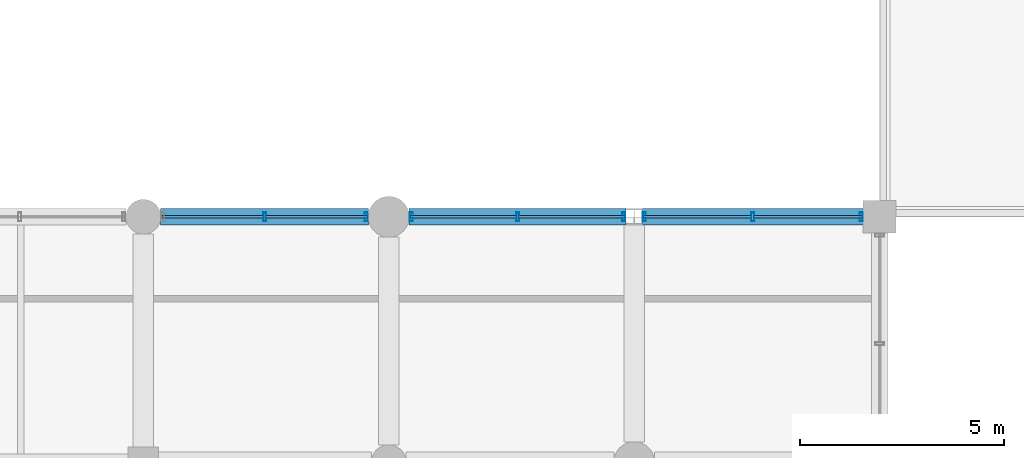
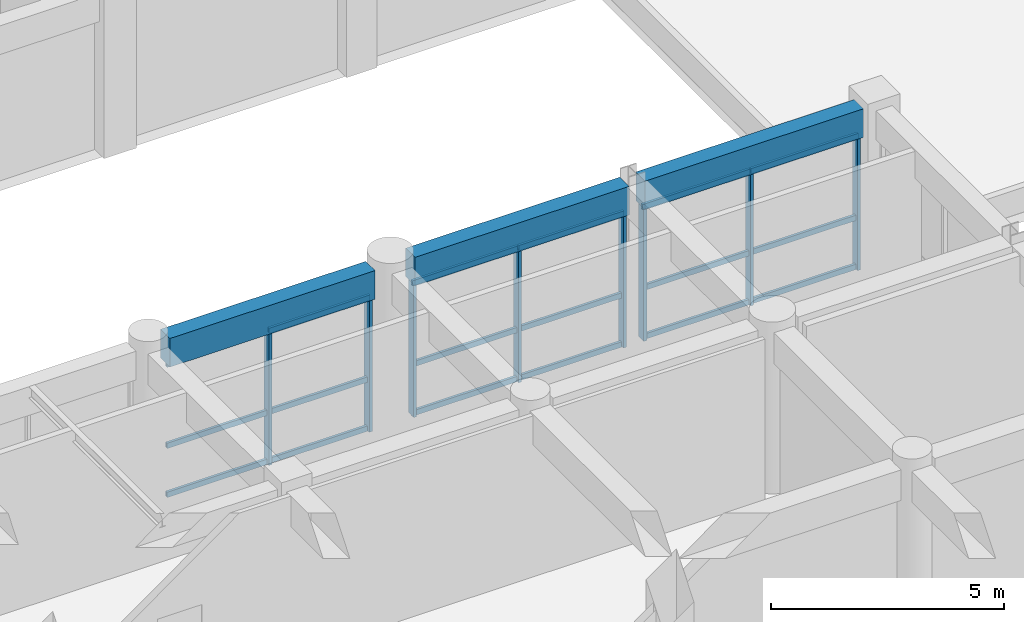
# One storey, part 77 of 133: 26 members, 3 beams, 3 elements without a shape of their own.
"""IFC4 building model written with IfcOpenShell, lengths in metres."""

from ifc_helpers import new_model, si_unit, direction, frame, origin, origin_2d, place, context, subcontext, project, spatial, rectangle, hollow_rectangle, extrude, material, material_profile, profile_set, type_object, element, aggregate, save


model = new_model("IFC4")

# Units and contexts
model_context = context("Model", 3, precision=1e-05, world=origin(), true_north=direction((0.0, 1.0)))
body_context = subcontext(model_context, "Body", "Model", "MODEL_VIEW")
ifc_project = project(units=[si_unit("LENGTHUNIT", "METRE"), si_unit("AREAUNIT", "SQUARE_METRE"), si_unit("VOLUMEUNIT", "CUBIC_METRE"), si_unit("PLANEANGLEUNIT", "RADIAN"), si_unit("MASSUNIT", "GRAM", prefix="KILO"), si_unit("THERMODYNAMICTEMPERATUREUNIT", "KELVIN"), si_unit("POWERUNIT", "WATT")], contexts=[model_context])

# Site, building, storey
site_placement = place(None, origin())
site = spatial("IfcSite", under=ifc_project, at=site_placement, CompositionType="ELEMENT")
building_placement = place(site_placement, origin())
building = spatial("IfcBuilding", under=site, at=building_placement, Name="Phaisarnlok Congress Hotel", CompositionType="ELEMENT")
storey_placement = place(building_placement, frame((0.0, 0.0, 6.0)))
storey = spatial("IfcBuildingStorey", under=building, at=storey_placement, Name="L01", CompositionType="ELEMENT", Elevation=6.0)

# Curtain wall, members
ifc_material_1 = material(Name="Thermally Broken Unitised Aluminium & Low-E Glazing", Category="aluminium")
curtain_wall_type_1 = type_object("IfcCurtainWallType", Name="CW-UNIT-17", PredefinedType="NOTDEFINED", material=ifc_material_1)
curtain_wall_1_placement = place(storey_placement, origin())
curtain_wall_1 = element("IfcCurtainWall", 1, at=curtain_wall_1_placement, inside=storey, type_object=curtain_wall_type_1, Name="Unitised curtain wall CW-17 (L01)", PredefinedType="NOTDEFINED")
ifc_material_2 = material(Name="Anodised Aluminium Alloy 6063-T6", Category="aluminium")
ifc_material_profile_1 = material_profile(ifc_material_2, hollow_rectangle(XDim=0.074951171875, YDim=0.219970703125, WallThickness=0.0048828125, at=origin_2d()), Name="ALU-M 75x220x5")
ifc_profile_set_1 = profile_set([ifc_material_profile_1], Name="Anodised Aluminium Alloy 6063-T6")
member_type_1 = type_object("IfcMemberType", Name="CWM-220", PredefinedType="MULLION", material=ifc_profile_set_1)
member_1_placement = place(storey_placement, frame((143.550048828125, 96.0, 0.0), z_axis=(0.0, 0.0, 1.0), x_axis=(-1.0, 0.0, 0.0)))
member_1 = element("IfcMember", 2, at=member_1_placement, type_object=member_type_1, Name="Curtain wall mullion CWM-02", PredefinedType="MULLION", context=body_context, shape_type="SweptSolid", body=[
    extrude(hollow_rectangle(XDim=0.074951171875, YDim=0.219970703125, WallThickness=0.0048828125, at=origin_2d()), origin(), (0.0, 0.0, 1.0), 3.510009765625),
])
member_2_placement = place(storey_placement, frame((140.900146484375, 96.0, 0.0), z_axis=(0.0, 0.0, 1.0), x_axis=(-1.0, 0.0, 0.0)))
member_2 = element("IfcMember", 3, at=member_2_placement, type_object=member_type_1, Name="Curtain wall mullion CWM-02", PredefinedType="MULLION", context=body_context, shape_type="SweptSolid", body=[
    extrude(hollow_rectangle(XDim=0.074951171875, YDim=0.219970703125, WallThickness=0.0048828125, at=origin_2d()), origin(), (0.0, 0.0, 1.0), 3.510009765625),
])
member_3_placement = place(storey_placement, frame((138.25048828125, 96.0, 0.0), z_axis=(0.0, 0.0, 1.0), x_axis=(-1.0, 0.0, 0.0)))
member_3 = element("IfcMember", 4, at=member_3_placement, type_object=member_type_1, Name="Curtain wall mullion CWM-02", PredefinedType="MULLION", context=body_context, shape_type="SweptSolid", body=[
    extrude(hollow_rectangle(XDim=0.074951171875, YDim=0.219970703125, WallThickness=0.0048828125, at=origin_2d()), origin(), (0.0, 0.0, 1.0), 3.510009765625),
])

curtain_wall_type_2 = type_object("IfcCurtainWallType", Name="CW-UNIT-16", PredefinedType="NOTDEFINED", material=ifc_material_1)
curtain_wall_2_placement = place(storey_placement, origin())
curtain_wall_2 = element("IfcCurtainWall", 5, at=curtain_wall_2_placement, inside=storey, type_object=curtain_wall_type_2, Name="Unitised curtain wall CW-16 (L01)", PredefinedType="NOTDEFINED")
member_4_placement = place(storey_placement, frame((137.74951171875, 96.0, 0.0), z_axis=(0.0, 0.0, 1.0), x_axis=(-1.0, 0.0, 0.0)))
member_4 = element("IfcMember", 6, at=member_4_placement, type_object=member_type_1, Name="Curtain wall mullion CWM-02", PredefinedType="MULLION", context=body_context, shape_type="SweptSolid", body=[
    extrude(hollow_rectangle(XDim=0.074951171875, YDim=0.219970703125, WallThickness=0.0048828125, at=origin_2d()), origin(), (0.0, 0.0, 1.0), 3.510009765625),
])
member_5_placement = place(storey_placement, frame((135.149658203125, 96.0, 0.0), z_axis=(0.0, 0.0, 1.0), x_axis=(-1.0, 0.0, 0.0)))
member_5 = element("IfcMember", 7, at=member_5_placement, type_object=member_type_1, Name="Curtain wall mullion CWM-02", PredefinedType="MULLION", context=body_context, shape_type="SweptSolid", body=[
    extrude(hollow_rectangle(XDim=0.074951171875, YDim=0.219970703125, WallThickness=0.0048828125, at=origin_2d()), origin(), (0.0, 0.0, 1.0), 3.510009765625),
])
member_6_placement = place(storey_placement, frame((132.550048828125, 96.0, 0.0), z_axis=(0.0, 0.0, 1.0), x_axis=(-1.0, 0.0, 0.0)))
member_6 = element("IfcMember", 8, at=member_6_placement, type_object=member_type_1, Name="Curtain wall mullion CWM-02", PredefinedType="MULLION", context=body_context, shape_type="SweptSolid", body=[
    extrude(hollow_rectangle(XDim=0.074951171875, YDim=0.219970703125, WallThickness=0.0048828125, at=origin_2d()), origin(), (0.0, 0.0, 1.0), 3.510009765625),
])

curtain_wall_type_3 = type_object("IfcCurtainWallType", Name="CW-UNIT-18", PredefinedType="NOTDEFINED", material=ifc_material_1)
curtain_wall_3_placement = place(storey_placement, origin())
curtain_wall_3 = element("IfcCurtainWall", 9, at=curtain_wall_3_placement, inside=storey, type_object=curtain_wall_type_3, Name="Unitised curtain wall CW-18 (L01)", PredefinedType="NOTDEFINED")
member_7_placement = place(storey_placement, frame((131.449951171875, 96.0, 0.0), z_axis=(0.0, 0.0, 1.0), x_axis=(-1.0, 0.0, 0.0)))
member_7 = element("IfcMember", 10, at=member_7_placement, type_object=member_type_1, Name="Curtain wall mullion CWM-02", PredefinedType="MULLION", context=body_context, shape_type="SweptSolid", body=[
    extrude(hollow_rectangle(XDim=0.074951171875, YDim=0.219970703125, WallThickness=0.0048828125, at=origin_2d()), origin(), (0.0, 0.0, 1.0), 3.510009765625),
])
member_8_placement = place(storey_placement, frame((128.96240234375, 96.0, 0.0), z_axis=(0.0, 0.0, 1.0), x_axis=(-1.0, 0.0, 0.0)))
member_8 = element("IfcMember", 11, at=member_8_placement, type_object=member_type_1, Name="Curtain wall mullion CWM-02", PredefinedType="MULLION", context=body_context, shape_type="SweptSolid", body=[
    extrude(hollow_rectangle(XDim=0.074951171875, YDim=0.219970703125, WallThickness=0.0048828125, at=origin_2d()), origin(), (0.0, 0.0, 1.0), 3.510009765625),
])

# Member
ifc_material_profile_2 = material_profile(ifc_material_2, hollow_rectangle(XDim=0.06494140625, YDim=0.139892578125, WallThickness=0.00390625, at=origin_2d()), Name="ALU-T 65x140x4")
ifc_profile_set_2 = profile_set([ifc_material_profile_2], Name="Anodised Aluminium Alloy 6063-T6")
member_type_2 = type_object("IfcMemberType", Name="CWT-150", PredefinedType="USERDEFINED", material=ifc_profile_set_2)
member_9_placement = place(storey_placement, frame((143.574951171875, 96.0, 0.050048828125), z_axis=(-1.0, 0.0, 0.0), x_axis=(0.0, -1.0, 0.0)))
member_9 = element("IfcMember", 12, at=member_9_placement, type_object=member_type_2, Name="Curtain wall transom CWT-01", ObjectType="TRANSOM", PredefinedType="USERDEFINED", context=body_context, shape_type="SweptSolid", body=[
    extrude(hollow_rectangle(XDim=0.06494140625, YDim=0.139892578125, WallThickness=0.00390625, at=origin_2d()), origin(), (0.0, 0.0, 1.0), 2.65966796875),
])

member_10_placement = place(storey_placement, frame((143.574951171875, 96.0, 1.333740234375), z_axis=(-1.0, 0.0, 0.0), x_axis=(0.0, -1.0, 0.0)))
member_10 = element("IfcMember", 13, at=member_10_placement, type_object=member_type_2, Name="Curtain wall transom CWT-01", ObjectType="TRANSOM", PredefinedType="USERDEFINED", context=body_context, shape_type="SweptSolid", body=[
    extrude(hollow_rectangle(XDim=0.06494140625, YDim=0.139892578125, WallThickness=0.00390625, at=origin_2d()), origin(), (0.0, 0.0, 1.0), 2.65966796875),
])

member_11_placement = place(storey_placement, frame((143.574951171875, 96.0, 3.4599609375), z_axis=(-1.0, 0.0, 0.0), x_axis=(0.0, -1.0, 0.0)))
member_11 = element("IfcMember", 14, at=member_11_placement, type_object=member_type_2, Name="Curtain wall transom CWT-01", ObjectType="TRANSOM", PredefinedType="USERDEFINED", context=body_context, shape_type="SweptSolid", body=[
    extrude(hollow_rectangle(XDim=0.06494140625, YDim=0.139892578125, WallThickness=0.00390625, at=origin_2d()), origin(), (0.0, 0.0, 1.0), 2.65966796875),
])

member_12_placement = place(storey_placement, frame((140.88525390625, 96.0, 0.050048828125), z_axis=(-1.0, 0.0, 0.0), x_axis=(0.0, -1.0, 0.0)))
member_12 = element("IfcMember", 15, at=member_12_placement, type_object=member_type_2, Name="Curtain wall transom CWT-01", ObjectType="TRANSOM", PredefinedType="USERDEFINED", context=body_context, shape_type="SweptSolid", body=[
    extrude(hollow_rectangle(XDim=0.06494140625, YDim=0.139892578125, WallThickness=0.00390625, at=origin_2d()), origin(), (0.0, 0.0, 1.0), 2.65966796875),
])

member_13_placement = place(storey_placement, frame((140.88525390625, 96.0, 1.333740234375), z_axis=(-1.0, 0.0, 0.0), x_axis=(0.0, -1.0, 0.0)))
member_13 = element("IfcMember", 16, at=member_13_placement, type_object=member_type_2, Name="Curtain wall transom CWT-01", ObjectType="TRANSOM", PredefinedType="USERDEFINED", context=body_context, shape_type="SweptSolid", body=[
    extrude(hollow_rectangle(XDim=0.06494140625, YDim=0.139892578125, WallThickness=0.00390625, at=origin_2d()), origin(), (0.0, 0.0, 1.0), 2.65966796875),
])

member_14_placement = place(storey_placement, frame((140.88525390625, 96.0, 3.4599609375), z_axis=(-1.0, 0.0, 0.0), x_axis=(0.0, -1.0, 0.0)))
member_14 = element("IfcMember", 17, at=member_14_placement, type_object=member_type_2, Name="Curtain wall transom CWT-01", ObjectType="TRANSOM", PredefinedType="USERDEFINED", context=body_context, shape_type="SweptSolid", body=[
    extrude(hollow_rectangle(XDim=0.06494140625, YDim=0.139892578125, WallThickness=0.00390625, at=origin_2d()), origin(), (0.0, 0.0, 1.0), 2.65966796875),
])

aggregate(curtain_wall_1, [member_1, member_2, member_3, member_9, member_10, member_11, member_12, member_13, member_14])

member_15_placement = place(storey_placement, frame((137.7744140625, 96.0, 0.050048828125), z_axis=(-1.0, 0.0, 0.0), x_axis=(0.0, -1.0, 0.0)))
member_15 = element("IfcMember", 18, at=member_15_placement, type_object=member_type_2, Name="Curtain wall transom CWT-01", ObjectType="TRANSOM", PredefinedType="USERDEFINED", context=body_context, shape_type="SweptSolid", body=[
    extrude(hollow_rectangle(XDim=0.06494140625, YDim=0.139892578125, WallThickness=0.00390625, at=origin_2d()), origin(), (0.0, 0.0, 1.0), 2.609619140625),
])

member_16_placement = place(storey_placement, frame((137.7744140625, 96.0, 1.333740234375), z_axis=(-1.0, 0.0, 0.0), x_axis=(0.0, -1.0, 0.0)))
member_16 = element("IfcMember", 19, at=member_16_placement, type_object=member_type_2, Name="Curtain wall transom CWT-01", ObjectType="TRANSOM", PredefinedType="USERDEFINED", context=body_context, shape_type="SweptSolid", body=[
    extrude(hollow_rectangle(XDim=0.06494140625, YDim=0.139892578125, WallThickness=0.00390625, at=origin_2d()), origin(), (0.0, 0.0, 1.0), 2.609619140625),
])

member_17_placement = place(storey_placement, frame((137.7744140625, 96.0, 3.4599609375), z_axis=(-1.0, 0.0, 0.0), x_axis=(0.0, -1.0, 0.0)))
member_17 = element("IfcMember", 20, at=member_17_placement, type_object=member_type_2, Name="Curtain wall transom CWT-01", ObjectType="TRANSOM", PredefinedType="USERDEFINED", context=body_context, shape_type="SweptSolid", body=[
    extrude(hollow_rectangle(XDim=0.06494140625, YDim=0.139892578125, WallThickness=0.00390625, at=origin_2d()), origin(), (0.0, 0.0, 1.0), 2.609619140625),
])

member_18_placement = place(storey_placement, frame((135.134765625, 96.0, 0.050048828125), z_axis=(-1.0, 0.0, 0.0), x_axis=(0.0, -1.0, 0.0)))
member_18 = element("IfcMember", 21, at=member_18_placement, type_object=member_type_2, Name="Curtain wall transom CWT-01", ObjectType="TRANSOM", PredefinedType="USERDEFINED", context=body_context, shape_type="SweptSolid", body=[
    extrude(hollow_rectangle(XDim=0.06494140625, YDim=0.139892578125, WallThickness=0.00390625, at=origin_2d()), origin(), (0.0, 0.0, 1.0), 2.60986328125),
])

member_19_placement = place(storey_placement, frame((135.134765625, 96.0, 1.333740234375), z_axis=(-1.0, 0.0, 0.0), x_axis=(0.0, -1.0, 0.0)))
member_19 = element("IfcMember", 22, at=member_19_placement, type_object=member_type_2, Name="Curtain wall transom CWT-01", ObjectType="TRANSOM", PredefinedType="USERDEFINED", context=body_context, shape_type="SweptSolid", body=[
    extrude(hollow_rectangle(XDim=0.06494140625, YDim=0.139892578125, WallThickness=0.00390625, at=origin_2d()), origin(), (0.0, 0.0, 1.0), 2.60986328125),
])

member_20_placement = place(storey_placement, frame((135.134765625, 96.0, 3.4599609375), z_axis=(-1.0, 0.0, 0.0), x_axis=(0.0, -1.0, 0.0)))
member_20 = element("IfcMember", 23, at=member_20_placement, type_object=member_type_2, Name="Curtain wall transom CWT-01", ObjectType="TRANSOM", PredefinedType="USERDEFINED", context=body_context, shape_type="SweptSolid", body=[
    extrude(hollow_rectangle(XDim=0.06494140625, YDim=0.139892578125, WallThickness=0.00390625, at=origin_2d()), origin(), (0.0, 0.0, 1.0), 2.60986328125),
])

aggregate(curtain_wall_2, [member_4, member_5, member_6, member_15, member_16, member_17, member_18, member_19, member_20])

member_21_placement = place(storey_placement, frame((131.47509765625, 96.0, 0.050048828125), z_axis=(-1.0, 0.0, 0.0), x_axis=(0.0, -1.0, 0.0)))
member_21 = element("IfcMember", 24, at=member_21_placement, type_object=member_type_2, Name="Curtain wall transom CWT-01", ObjectType="TRANSOM", PredefinedType="USERDEFINED", context=body_context, shape_type="SweptSolid", body=[
    extrude(hollow_rectangle(XDim=0.06494140625, YDim=0.139892578125, WallThickness=0.00390625, at=origin_2d()), origin(), (0.0, 0.0, 1.0), 2.49755859375),
])

member_22_placement = place(storey_placement, frame((131.47509765625, 96.0, 1.333740234375), z_axis=(-1.0, 0.0, 0.0), x_axis=(0.0, -1.0, 0.0)))
member_22 = element("IfcMember", 25, at=member_22_placement, type_object=member_type_2, Name="Curtain wall transom CWT-01", ObjectType="TRANSOM", PredefinedType="USERDEFINED", context=body_context, shape_type="SweptSolid", body=[
    extrude(hollow_rectangle(XDim=0.06494140625, YDim=0.139892578125, WallThickness=0.00390625, at=origin_2d()), origin(), (0.0, 0.0, 1.0), 2.49755859375),
])

member_23_placement = place(storey_placement, frame((131.47509765625, 96.0, 3.4599609375), z_axis=(-1.0, 0.0, 0.0), x_axis=(0.0, -1.0, 0.0)))
member_23 = element("IfcMember", 26, at=member_23_placement, type_object=member_type_2, Name="Curtain wall transom CWT-01", ObjectType="TRANSOM", PredefinedType="USERDEFINED", context=body_context, shape_type="SweptSolid", body=[
    extrude(hollow_rectangle(XDim=0.06494140625, YDim=0.139892578125, WallThickness=0.00390625, at=origin_2d()), origin(), (0.0, 0.0, 1.0), 2.49755859375),
])

member_24_placement = place(storey_placement, frame((128.947509765625, 96.0, 0.050048828125), z_axis=(-1.0, 0.0, 0.0), x_axis=(0.0, -1.0, 0.0)))
member_24 = element("IfcMember", 27, at=member_24_placement, type_object=member_type_2, Name="Curtain wall transom CWT-01", ObjectType="TRANSOM", PredefinedType="USERDEFINED", context=body_context, shape_type="SweptSolid", body=[
    extrude(hollow_rectangle(XDim=0.06494140625, YDim=0.139892578125, WallThickness=0.00390625, at=origin_2d()), origin(), (0.0, 0.0, 1.0), 2.49755859375),
])

member_25_placement = place(storey_placement, frame((128.947509765625, 96.0, 1.333740234375), z_axis=(-1.0, 0.0, 0.0), x_axis=(0.0, -1.0, 0.0)))
member_25 = element("IfcMember", 28, at=member_25_placement, type_object=member_type_2, Name="Curtain wall transom CWT-01", ObjectType="TRANSOM", PredefinedType="USERDEFINED", context=body_context, shape_type="SweptSolid", body=[
    extrude(hollow_rectangle(XDim=0.06494140625, YDim=0.139892578125, WallThickness=0.00390625, at=origin_2d()), origin(), (0.0, 0.0, 1.0), 2.49755859375),
])

member_26_placement = place(storey_placement, frame((128.947509765625, 96.0, 3.4599609375), z_axis=(-1.0, 0.0, 0.0), x_axis=(0.0, -1.0, 0.0)))
member_26 = element("IfcMember", 29, at=member_26_placement, type_object=member_type_2, Name="Curtain wall transom CWT-01", ObjectType="TRANSOM", PredefinedType="USERDEFINED", context=body_context, shape_type="SweptSolid", body=[
    extrude(hollow_rectangle(XDim=0.06494140625, YDim=0.139892578125, WallThickness=0.00390625, at=origin_2d()), origin(), (0.0, 0.0, 1.0), 2.49755859375),
])

aggregate(curtain_wall_3, [member_7, member_8, member_21, member_22, member_23, member_24, member_25, member_26])

# Beams
ifc_material_3 = material(Name="Concrete C40/50", Category="concrete")
ifc_material_profile_3 = material_profile(ifc_material_3, rectangle(XDim=0.39990234375, YDim=0.75, at=origin_2d()), Name="RC 400x750")
ifc_profile_set_3 = profile_set([ifc_material_profile_3], Name="Concrete C40/50")
beam_type = type_object("IfcBeamType", Name="SP-RC-400x750", PredefinedType="SPANDREL", material=ifc_profile_set_3)
beam_1_placement = place(storey_placement, frame((126.419921875, 96.0, 3.885009765625), z_axis=(1.0, 0.0, 0.0), x_axis=(0.0, 1.0, 0.0)))
element("IfcBeam", 30, at=beam_1_placement, inside=storey, type_object=beam_type, Name="Beam SP-02", PredefinedType="SPANDREL", context=body_context, shape_type="SweptSolid", body=[
    extrude(rectangle(XDim=0.39990234375, YDim=0.75, at=origin_2d()), origin(), (0.0, 0.0, 1.0), 5.0849609375),
])
beam_2_placement = place(storey_placement, frame((132.4951171875, 96.0, 3.885009765625), z_axis=(1.0, 0.0, 0.0), x_axis=(0.0, 1.0, 0.0)))
element("IfcBeam", 31, at=beam_2_placement, inside=storey, type_object=beam_type, Name="Beam SP-02", PredefinedType="SPANDREL", context=body_context, shape_type="SweptSolid", body=[
    extrude(rectangle(XDim=0.39990234375, YDim=0.75, at=origin_2d()), origin(), (0.0, 0.0, 1.0), 5.309326171875),
])
beam_3_placement = place(storey_placement, frame((138.195556640625, 96.0, 3.885009765625), z_axis=(1.0, 0.0, 0.0), x_axis=(0.0, 1.0, 0.0)))
element("IfcBeam", 32, at=beam_3_placement, inside=storey, type_object=beam_type, Name="Beam SP-02", PredefinedType="SPANDREL", context=body_context, shape_type="SweptSolid", body=[
    extrude(rectangle(XDim=0.39990234375, YDim=0.75, at=origin_2d()), origin(), (0.0, 0.0, 1.0), 5.409423828125),
])

save(model, "model.ifc")
